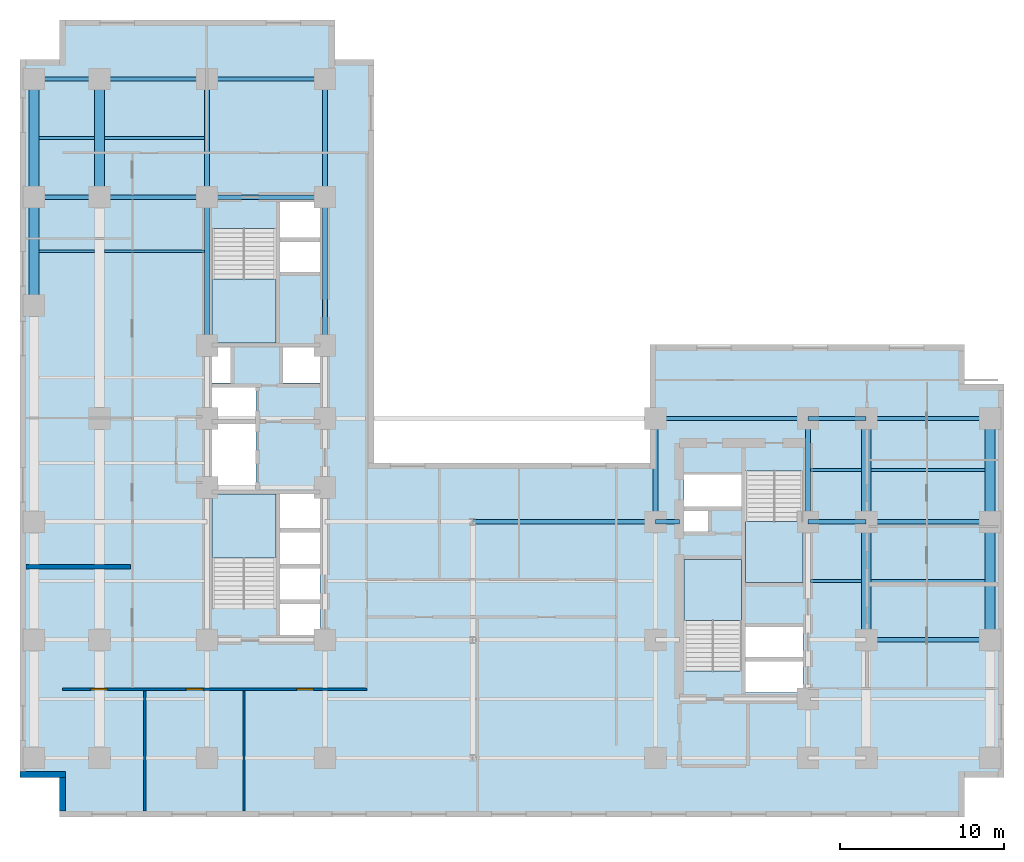
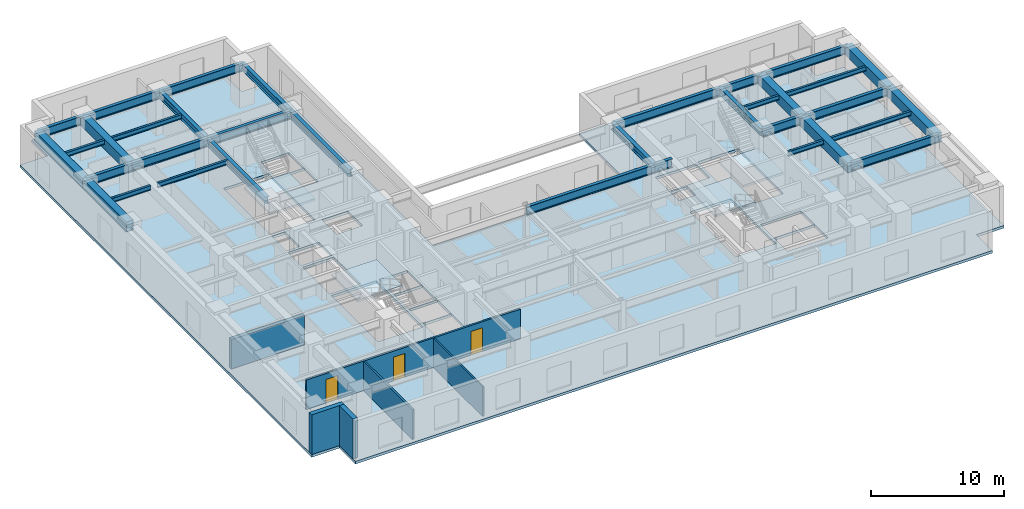
# One storey, part 2 of 9: 35 beams, 6 walls, 5 slabs, 3 doors, 3 openings, 4 elements without a shape of their own.
"""IFC4 building model written with IfcOpenShell, lengths in metres."""

from ifc_helpers import new_model, entity, si_unit, converted_unit, direction, frame, origin_with_axes, origin_2d_with_axis, place, context, subcontext, project, spatial, polyline, rectangle, i_section, outline, extrude, material, layer, layer_set, material_profile, profile_set, type_object, element, fill, aggregate, save


model = new_model("IFC4")

# Units and contexts
model_context = context("Model", 3, precision=1e-05, world=origin_with_axes(), true_north=direction((0.0, 1.0)))
body_context = subcontext(model_context, "Body", "Model", "MODEL_VIEW")
ifc_project = project(units=[si_unit("LENGTHUNIT", "METRE"), si_unit("AREAUNIT", "SQUARE_METRE"), si_unit("VOLUMEUNIT", "CUBIC_METRE"), converted_unit("PLANEANGLEUNIT", "DEGREE", entity("IfcPlaneAngleMeasure", 0.017453292519943295), si_unit("PLANEANGLEUNIT", "RADIAN"), dimensions=[0, 0, 0, 0, 0, 0, 0]), si_unit("MASSUNIT", "GRAM", prefix="KILO"), si_unit("THERMODYNAMICTEMPERATUREUNIT", "KELVIN")], contexts=[model_context])

# Site, building, storey
site_placement = place(None, origin_with_axes())
site = spatial("IfcSite", under=ifc_project, at=site_placement, CompositionType="ELEMENT")
building_placement = place(site_placement, origin_with_axes())
building = spatial("IfcBuilding", under=site, at=building_placement, Name="Varnlund Millrace Tower", CompositionType="ELEMENT")
storey_placement = place(building_placement, frame((0.0, 0.0, 40.5), z_axis=(0.0, 0.0, 1.0), x_axis=(1.0, 0.0, 0.0)))
storey = spatial("IfcBuildingStorey", under=building, at=storey_placement, Name="L09", CompositionType="ELEMENT", Elevation=40.5)

# Beams
ifc_material_1 = material(Name="Steel ASTM A992 Grade 50", Category="steel")
ifc_material_profile_1 = material_profile(ifc_material_1, i_section(OverallWidth=0.328, OverallDepth=0.628, WebThickness=0.0165, FlangeThickness=0.0277, FilletRadius=0.018, at=origin_2d_with_axis()), Name="Steel ASTM A992 Grade 50")
ifc_profile_set_1 = profile_set([ifc_material_profile_1], Name="Steel ASTM A992 Grade 50")
beam_type_1 = type_object("IfcBeamType", Name="Type-Girder-W24X146", PredefinedType="USERDEFINED", material=ifc_profile_set_1)
beam_1_placement = place(storey_placement, frame((11.4, 28.75, 3.346), z_axis=(0.0, 1.0, 0.0), x_axis=(-1.0, 0.0, 0.0)))
element("IfcBeam", 1, at=beam_1_placement, inside=storey, type_object=beam_type_1, Name="Type-Girder-W24X146", ObjectType="GIRDER", PredefinedType="USERDEFINED", context=body_context, shape_type="SweptSolid", body=[
    extrude(i_section(OverallWidth=0.328, OverallDepth=0.628, WebThickness=0.0165, FlangeThickness=0.0277, FilletRadius=0.018, at=origin_2d_with_axis()), origin_with_axes(), (0.0, 0.0, 1.0), 9.05),
])
beam_2_placement = place(storey_placement, frame((11.4, 37.8, 3.346), z_axis=(0.0, 1.0, 0.0), x_axis=(-1.0, 0.0, 0.0)))
element("IfcBeam", 2, at=beam_2_placement, inside=storey, type_object=beam_type_1, Name="Type-Girder-W24X146", ObjectType="GIRDER", PredefinedType="USERDEFINED", context=body_context, shape_type="SweptSolid", body=[
    extrude(i_section(OverallWidth=0.328, OverallDepth=0.628, WebThickness=0.0165, FlangeThickness=0.0277, FilletRadius=0.018, at=origin_2d_with_axis()), origin_with_axes(), (0.0, 0.0, 1.0), 7.2),
])
beam_3_placement = place(storey_placement, frame((18.6, 28.75, 3.346), z_axis=(0.0, 1.0, 0.0), x_axis=(-1.0, 0.0, 0.0)))
element("IfcBeam", 3, at=beam_3_placement, inside=storey, type_object=beam_type_1, Name="Type-Girder-W24X146", ObjectType="GIRDER", PredefinedType="USERDEFINED", context=body_context, shape_type="SweptSolid", body=[
    extrude(i_section(OverallWidth=0.328, OverallDepth=0.628, WebThickness=0.0165, FlangeThickness=0.0277, FilletRadius=0.018, at=origin_2d_with_axis()), origin_with_axes(), (0.0, 0.0, 1.0), 9.05),
])
beam_4_placement = place(storey_placement, frame((18.6, 37.8, 3.346), z_axis=(0.0, 1.0, 0.0), x_axis=(-1.0, 0.0, 0.0)))
element("IfcBeam", 4, at=beam_4_placement, inside=storey, type_object=beam_type_1, Name="Type-Girder-W24X146", ObjectType="GIRDER", PredefinedType="USERDEFINED", context=body_context, shape_type="SweptSolid", body=[
    extrude(i_section(OverallWidth=0.328, OverallDepth=0.628, WebThickness=0.0165, FlangeThickness=0.0277, FilletRadius=0.018, at=origin_2d_with_axis()), origin_with_axes(), (0.0, 0.0, 1.0), 7.2),
])
for number, where, z_axis, x_axis, name in (
    (5, (38.75, 18.0, 3.346), (0.0, 1.0, 0.0), (-1.0, 0.0, 0.0), "Type-Girder-W24X146"),
    (6, (48.05, 18.0, 3.346), (0.0, 1.0, 0.0), (-1.0, 0.0, 0.0), "Type-Girder-W24X146"),
):
    element("IfcBeam", number, at=place(storey_placement, frame(where, z_axis=z_axis, x_axis=x_axis)), inside=storey, type_object=beam_type_1, Name=name, ObjectType="GIRDER", PredefinedType="USERDEFINED", context=body_context, shape_type="SweptSolid", body=[
        extrude(i_section(OverallWidth=0.328, OverallDepth=0.628, WebThickness=0.0165, FlangeThickness=0.0277, FilletRadius=0.018, at=origin_2d_with_axis()), origin_with_axes(), (0.0, 0.0, 1.0), 6.3),
    ])
ifc_material_profile_2 = material_profile(ifc_material_1, i_section(OverallWidth=0.266, OverallDepth=0.779, WebThickness=0.0165, FlangeThickness=0.03, FilletRadius=0.02, at=origin_2d_with_axis()), Name="Steel ASTM A992 Grade 50")
ifc_profile_set_2 = profile_set([ifc_material_profile_2], Name="Steel ASTM A992 Grade 50")
beam_type_2 = type_object("IfcBeamType", Name="Type-Girder-W30X148", PredefinedType="USERDEFINED", material=ifc_profile_set_2)
beam_5_placement = place(storey_placement, frame((51.6, 10.8, 3.2705), z_axis=(1.0, 0.0, 0.0), x_axis=(0.0, 1.0, 0.0)))
element("IfcBeam", 7, at=beam_5_placement, inside=storey, type_object=beam_type_2, Name="Type-Girder-W30X148", ObjectType="GIRDER", PredefinedType="USERDEFINED", context=body_context, shape_type="SweptSolid", body=[
    extrude(i_section(OverallWidth=0.266, OverallDepth=0.779, WebThickness=0.0165, FlangeThickness=0.03, FilletRadius=0.02, at=origin_2d_with_axis()), origin_with_axes(), (0.0, 0.0, 1.0), 7.55),
])
beam_6_placement = place(storey_placement, frame((27.6, 18.0, 3.2705), z_axis=(1.0, 0.0, 0.0), x_axis=(0.0, 1.0, 0.0)))
element("IfcBeam", 8, at=beam_6_placement, inside=storey, type_object=beam_type_2, Name="Type-Girder-W30X148", ObjectType="GIRDER", PredefinedType="USERDEFINED", context=body_context, shape_type="SweptSolid", body=[
    extrude(i_section(OverallWidth=0.266, OverallDepth=0.779, WebThickness=0.0165, FlangeThickness=0.03, FilletRadius=0.02, at=origin_2d_with_axis()), origin_with_axes(), (0.0, 0.0, 1.0), 11.15),
])
beam_7_placement = place(storey_placement, frame((38.75, 18.0, 3.2705), z_axis=(1.0, 0.0, 0.0), x_axis=(0.0, 1.0, 0.0)))
element("IfcBeam", 9, at=beam_7_placement, inside=storey, type_object=beam_type_2, Name="Type-Girder-W30X148", ObjectType="GIRDER", PredefinedType="USERDEFINED", context=body_context, shape_type="SweptSolid", body=[
    extrude(i_section(OverallWidth=0.266, OverallDepth=0.779, WebThickness=0.0165, FlangeThickness=0.03, FilletRadius=0.02, at=origin_2d_with_axis()), origin_with_axes(), (0.0, 0.0, 1.0), 1.45),
])
beam_8_placement = place(storey_placement, frame((48.05, 18.0, 3.2705), z_axis=(1.0, 0.0, 0.0), x_axis=(0.0, 1.0, 0.0)))
element("IfcBeam", 10, at=beam_8_placement, inside=storey, type_object=beam_type_2, Name="Type-Girder-W30X148", ObjectType="GIRDER", PredefinedType="USERDEFINED", context=body_context, shape_type="SweptSolid", body=[
    extrude(i_section(OverallWidth=0.266, OverallDepth=0.779, WebThickness=0.0165, FlangeThickness=0.03, FilletRadius=0.02, at=origin_2d_with_axis()), origin_with_axes(), (0.0, 0.0, 1.0), 3.55),
])
beam_9_placement = place(storey_placement, frame((51.6, 18.0, 3.2705), z_axis=(1.0, 0.0, 0.0), x_axis=(0.0, 1.0, 0.0)))
element("IfcBeam", 11, at=beam_9_placement, inside=storey, type_object=beam_type_2, Name="Type-Girder-W30X148", ObjectType="GIRDER", PredefinedType="USERDEFINED", context=body_context, shape_type="SweptSolid", body=[
    extrude(i_section(OverallWidth=0.266, OverallDepth=0.779, WebThickness=0.0165, FlangeThickness=0.03, FilletRadius=0.02, at=origin_2d_with_axis()), origin_with_axes(), (0.0, 0.0, 1.0), 7.55),
])
beam_10_placement = place(storey_placement, frame((38.75, 24.3, 3.2705), z_axis=(1.0, 0.0, 0.0), x_axis=(0.0, 1.0, 0.0)))
element("IfcBeam", 12, at=beam_10_placement, inside=storey, type_object=beam_type_2, Name="Type-Girder-W30X148", ObjectType="GIRDER", PredefinedType="USERDEFINED", context=body_context, shape_type="SweptSolid", body=[
    extrude(i_section(OverallWidth=0.266, OverallDepth=0.779, WebThickness=0.0165, FlangeThickness=0.03, FilletRadius=0.02, at=origin_2d_with_axis()), origin_with_axes(), (0.0, 0.0, 1.0), 9.3),
])
beam_11_placement = place(storey_placement, frame((48.05, 24.3, 3.2705), z_axis=(1.0, 0.0, 0.0), x_axis=(0.0, 1.0, 0.0)))
element("IfcBeam", 13, at=beam_11_placement, inside=storey, type_object=beam_type_2, Name="Type-Girder-W30X148", ObjectType="GIRDER", PredefinedType="USERDEFINED", context=body_context, shape_type="SweptSolid", body=[
    extrude(i_section(OverallWidth=0.266, OverallDepth=0.779, WebThickness=0.0165, FlangeThickness=0.03, FilletRadius=0.02, at=origin_2d_with_axis()), origin_with_axes(), (0.0, 0.0, 1.0), 3.55),
])
beam_12_placement = place(storey_placement, frame((51.6, 24.3, 3.2705), z_axis=(1.0, 0.0, 0.0), x_axis=(0.0, 1.0, 0.0)))
element("IfcBeam", 14, at=beam_12_placement, inside=storey, type_object=beam_type_2, Name="Type-Girder-W30X148", ObjectType="GIRDER", PredefinedType="USERDEFINED", context=body_context, shape_type="SweptSolid", body=[
    extrude(i_section(OverallWidth=0.266, OverallDepth=0.779, WebThickness=0.0165, FlangeThickness=0.03, FilletRadius=0.02, at=origin_2d_with_axis()), origin_with_axes(), (0.0, 0.0, 1.0), 7.55),
])
beam_13_placement = place(storey_placement, frame((0.85, 37.8, 3.2705), z_axis=(1.0, 0.0, 0.0), x_axis=(0.0, 1.0, 0.0)))
element("IfcBeam", 15, at=beam_13_placement, inside=storey, type_object=beam_type_2, Name="Type-Girder-W30X148", ObjectType="GIRDER", PredefinedType="USERDEFINED", context=body_context, shape_type="SweptSolid", body=[
    extrude(i_section(OverallWidth=0.266, OverallDepth=0.779, WebThickness=0.0165, FlangeThickness=0.03, FilletRadius=0.02, at=origin_2d_with_axis()), origin_with_axes(), (0.0, 0.0, 1.0), 4.0),
])
beam_14_placement = place(storey_placement, frame((4.85, 37.8, 3.2705), z_axis=(1.0, 0.0, 0.0), x_axis=(0.0, 1.0, 0.0)))
element("IfcBeam", 16, at=beam_14_placement, inside=storey, type_object=beam_type_2, Name="Type-Girder-W30X148", ObjectType="GIRDER", PredefinedType="USERDEFINED", context=body_context, shape_type="SweptSolid", body=[
    extrude(i_section(OverallWidth=0.266, OverallDepth=0.779, WebThickness=0.0165, FlangeThickness=0.03, FilletRadius=0.02, at=origin_2d_with_axis()), origin_with_axes(), (0.0, 0.0, 1.0), 6.55),
])
beam_15_placement = place(storey_placement, frame((11.4, 37.8, 3.2705), z_axis=(1.0, 0.0, 0.0), x_axis=(0.0, 1.0, 0.0)))
element("IfcBeam", 17, at=beam_15_placement, inside=storey, type_object=beam_type_2, Name="Type-Girder-W30X148", ObjectType="GIRDER", PredefinedType="USERDEFINED", context=body_context, shape_type="SweptSolid", body=[
    extrude(i_section(OverallWidth=0.266, OverallDepth=0.779, WebThickness=0.0165, FlangeThickness=0.03, FilletRadius=0.02, at=origin_2d_with_axis()), origin_with_axes(), (0.0, 0.0, 1.0), 7.2),
])
beam_16_placement = place(storey_placement, frame((0.85, 45.0, 3.2705), z_axis=(1.0, 0.0, 0.0), x_axis=(0.0, 1.0, 0.0)))
element("IfcBeam", 18, at=beam_16_placement, inside=storey, type_object=beam_type_2, Name="Type-Girder-W30X148", ObjectType="GIRDER", PredefinedType="USERDEFINED", context=body_context, shape_type="SweptSolid", body=[
    extrude(i_section(OverallWidth=0.266, OverallDepth=0.779, WebThickness=0.0165, FlangeThickness=0.03, FilletRadius=0.02, at=origin_2d_with_axis()), origin_with_axes(), (0.0, 0.0, 1.0), 4.0),
])
beam_17_placement = place(storey_placement, frame((4.85, 45.0, 3.2705), z_axis=(1.0, 0.0, 0.0), x_axis=(0.0, 1.0, 0.0)))
element("IfcBeam", 19, at=beam_17_placement, inside=storey, type_object=beam_type_2, Name="Type-Girder-W30X148", ObjectType="GIRDER", PredefinedType="USERDEFINED", context=body_context, shape_type="SweptSolid", body=[
    extrude(i_section(OverallWidth=0.266, OverallDepth=0.779, WebThickness=0.0165, FlangeThickness=0.03, FilletRadius=0.02, at=origin_2d_with_axis()), origin_with_axes(), (0.0, 0.0, 1.0), 6.55),
])
beam_18_placement = place(storey_placement, frame((11.4, 45.0, 3.2705), z_axis=(1.0, 0.0, 0.0), x_axis=(0.0, 1.0, 0.0)))
element("IfcBeam", 20, at=beam_18_placement, inside=storey, type_object=beam_type_2, Name="Type-Girder-W30X148", ObjectType="GIRDER", PredefinedType="USERDEFINED", context=body_context, shape_type="SweptSolid", body=[
    extrude(i_section(OverallWidth=0.266, OverallDepth=0.779, WebThickness=0.0165, FlangeThickness=0.03, FilletRadius=0.02, at=origin_2d_with_axis()), origin_with_axes(), (0.0, 0.0, 1.0), 7.2),
])
ifc_material_profile_3 = material_profile(ifc_material_1, i_section(OverallWidth=0.181, OverallDepth=0.417, WebThickness=0.0109, FlangeThickness=0.0182, FilletRadius=0.013, at=origin_2d_with_axis()), Name="Steel ASTM A992 Grade 50")
ifc_profile_set_3 = profile_set([ifc_material_profile_3], Name="Steel ASTM A992 Grade 50")
beam_type_3 = type_object("IfcBeamType", Name="Type-Joist-W16X57", PredefinedType="JOIST", material=ifc_profile_set_3)
for number, where, z_axis, x_axis, name in (
    (21, (1.15, 34.5, 3.4515), (1.0, 0.0, 0.0), (0.0, 1.0, 0.0), "Type-Joist-W16X57"),
    (22, (1.15, 41.4, 3.4515), (1.0, 0.0, 0.0), (0.0, 1.0, 0.0), "Type-Joist-W16X57"),
):
    element("IfcBeam", number, at=place(storey_placement, frame(where, z_axis=z_axis, x_axis=x_axis)), inside=storey, type_object=beam_type_3, Name=name, PredefinedType="JOIST", context=body_context, shape_type="SweptSolid", body=[
        extrude(i_section(OverallWidth=0.181, OverallDepth=0.417, WebThickness=0.0109, FlangeThickness=0.0182, FilletRadius=0.013, at=origin_2d_with_axis()), origin_with_axes(), (0.0, 0.0, 1.0), 3.4),
    ])
for number, where, z_axis, x_axis, name in (
    (23, (5.15, 34.5, 3.4515), (1.0, 0.0, 0.0), (0.0, 1.0, 0.0), "Type-Joist-W16X57"),
    (24, (5.15, 41.4, 3.4515), (1.0, 0.0, 0.0), (0.0, 1.0, 0.0), "Type-Joist-W16X57"),
):
    element("IfcBeam", number, at=place(storey_placement, frame(where, z_axis=z_axis, x_axis=x_axis)), inside=storey, type_object=beam_type_3, Name=name, PredefinedType="JOIST", context=body_context, shape_type="SweptSolid", body=[
        extrude(i_section(OverallWidth=0.181, OverallDepth=0.417, WebThickness=0.0109, FlangeThickness=0.0182, FilletRadius=0.013, at=origin_2d_with_axis()), origin_with_axes(), (0.0, 0.0, 1.0), 6.086),
    ])
for number, where, z_axis, x_axis, name in (
    (25, (48.214, 14.4, 3.4515), (1.0, 0.0, 0.0), (0.0, 1.0, 0.0), "Type-Joist-W16X57"),
    (26, (48.214, 21.15, 3.4515), (1.0, 0.0, 0.0), (0.0, 1.0, 0.0), "Type-Joist-W16X57"),
):
    element("IfcBeam", number, at=place(storey_placement, frame(where, z_axis=z_axis, x_axis=x_axis)), inside=storey, type_object=beam_type_3, Name=name, PredefinedType="JOIST", context=body_context, shape_type="SweptSolid", body=[
        extrude(i_section(OverallWidth=0.181, OverallDepth=0.417, WebThickness=0.0109, FlangeThickness=0.0182, FilletRadius=0.013, at=origin_2d_with_axis()), origin_with_axes(), (0.0, 0.0, 1.0), 3.086),
    ])
for number, where, z_axis, x_axis, name in (
    (27, (51.9, 14.4, 3.4515), (1.0, 0.0, 0.0), (0.0, 1.0, 0.0), "Type-Joist-W16X57"),
    (28, (51.9, 21.15, 3.4515), (1.0, 0.0, 0.0), (0.0, 1.0, 0.0), "Type-Joist-W16X57"),
):
    element("IfcBeam", number, at=place(storey_placement, frame(where, z_axis=z_axis, x_axis=x_axis)), inside=storey, type_object=beam_type_3, Name=name, PredefinedType="JOIST", context=body_context, shape_type="SweptSolid", body=[
        extrude(i_section(OverallWidth=0.181, OverallDepth=0.417, WebThickness=0.0109, FlangeThickness=0.0182, FilletRadius=0.013, at=origin_2d_with_axis()), origin_with_axes(), (0.0, 0.0, 1.0), 6.95),
    ])
ifc_material_2 = material(Name="Concrete C70/85", Category="concrete")
ifc_material_profile_4 = material_profile(ifc_material_2, rectangle(XDim=0.6, YDim=0.9, at=origin_2d_with_axis()), Name="Concrete C70/85")
ifc_profile_set_4 = profile_set([ifc_material_profile_4], Name="Concrete C70/85")
beam_type_4 = type_object("IfcBeamType", Name="Type-Spandrel-RC600X900", PredefinedType="SPANDREL", material=ifc_profile_set_4)
beam_19_placement = place(storey_placement, frame((0.85, 31.2, 3.21), z_axis=(0.0, 1.0, 0.0), x_axis=(-1.0, 0.0, 0.0)))
element("IfcBeam", 29, at=beam_19_placement, inside=storey, type_object=beam_type_4, Name="Type-Spandrel-RC600X900", PredefinedType="SPANDREL", context=body_context, shape_type="SweptSolid", body=[
    extrude(rectangle(XDim=0.6, YDim=0.9, at=origin_2d_with_axis()), origin_with_axes(), (0.0, 0.0, 1.0), 6.6),
])
for number, where, z_axis, x_axis, name in (
    (30, (0.85, 37.8, 3.21), (0.0, 1.0, 0.0), (-1.0, 0.0, 0.0), "Type-Spandrel-RC600X900"),
    (31, (4.85, 37.8, 3.21), (0.0, 1.0, 0.0), (-1.0, 0.0, 0.0), "Type-Spandrel-RC600X900"),
    (32, (51.6, 10.8, 3.21), (0.0, 1.0, 0.0), (-1.0, 0.0, 0.0), "Type-Spandrel-RC600X900"),
):
    element("IfcBeam", number, at=place(storey_placement, frame(where, z_axis=z_axis, x_axis=x_axis)), inside=storey, type_object=beam_type_4, Name=name, PredefinedType="SPANDREL", context=body_context, shape_type="SweptSolid", body=[
        extrude(rectangle(XDim=0.6, YDim=0.9, at=origin_2d_with_axis()), origin_with_axes(), (0.0, 0.0, 1.0), 7.2),
    ])
beam_20_placement = place(storey_placement, frame((51.6, 18.0, 3.21), z_axis=(0.0, 1.0, 0.0), x_axis=(-1.0, 0.0, 0.0)))
element("IfcBeam", 33, at=beam_20_placement, inside=storey, type_object=beam_type_4, Name="Type-Spandrel-RC600X900", PredefinedType="SPANDREL", context=body_context, shape_type="SweptSolid", body=[
    extrude(rectangle(XDim=0.6, YDim=0.9, at=origin_2d_with_axis()), origin_with_axes(), (0.0, 0.0, 1.0), 6.3),
])
beam_21_placement = place(storey_placement, frame((59.15, 10.8, 3.21), z_axis=(0.0, 1.0, 0.0), x_axis=(-1.0, 0.0, 0.0)))
element("IfcBeam", 34, at=beam_21_placement, inside=storey, type_object=beam_type_4, Name="Type-Spandrel-RC600X900", PredefinedType="SPANDREL", context=body_context, shape_type="SweptSolid", body=[
    extrude(rectangle(XDim=0.6, YDim=0.9, at=origin_2d_with_axis()), origin_with_axes(), (0.0, 0.0, 1.0), 7.2),
])
beam_22_placement = place(storey_placement, frame((59.15, 18.0, 3.21), z_axis=(0.0, 1.0, 0.0), x_axis=(-1.0, 0.0, 0.0)))
element("IfcBeam", 35, at=beam_22_placement, inside=storey, type_object=beam_type_4, Name="Type-Spandrel-RC600X900", PredefinedType="SPANDREL", context=body_context, shape_type="SweptSolid", body=[
    extrude(rectangle(XDim=0.6, YDim=0.9, at=origin_2d_with_axis()), origin_with_axes(), (0.0, 0.0, 1.0), 6.3),
])

# Slab
ifc_material_3 = material(Name="Concrete C60/75", Category="concrete")
ifc_layer_1 = layer(ifc_material_3, 0.24, Name="Concrete C60/75")
ifc_layer_set_1 = layer_set([ifc_layer_1], Name="Concrete C60/75")
slab_type_1 = type_object("IfcSlabType", Name="Type-Deck-Plate-Typical-240", PredefinedType="FLOOR", material=ifc_layer_set_1)
slab_1_placement = place(storey_placement, frame((0.0, 0.0, -0.24), z_axis=(0.0, 0.0, 1.0), x_axis=(1.0, 0.0, 0.0)))
element("IfcSlab", 36, at=slab_1_placement, inside=storey, type_object=slab_type_1, Name="Type-Deck-Plate-Typical-240", PredefinedType="FLOOR", context=body_context, shape_type="SweptSolid", body=[
    extrude(outline(polyline([(21.6, 21.6), (21.6, 46.2), (19.2, 46.2), (19.2, 48.6), (2.4, 48.6), (2.4, 46.2), (0.0, 46.2), (0.0, 2.4), (2.4, 2.4), (2.4, 0.0), (57.6, 0.0), (57.6, 2.4), (60.0, 2.4), (60.0, 26.4), (57.6, 26.4), (57.6, 28.8), (38.4, 28.8), (38.4, 21.6), (21.6, 21.6)]), holes=[polyline([(18.3, 11.1), (15.84, 11.1), (15.84, 13.1), (18.3, 13.1), (18.3, 11.1)]), polyline([(18.3, 13.16), (15.84, 13.16), (15.84, 15.24), (18.3, 15.24), (18.3, 13.16)]), polyline([(15.6, 12.715), (11.7, 12.715), (11.7, 19.7), (15.6, 19.7), (15.6, 12.715)]), polyline([(18.3, 15.34), (15.84, 15.34), (15.84, 17.46), (18.3, 17.46), (18.3, 15.34)]), polyline([(18.3, 17.52), (15.84, 17.52), (15.84, 19.7), (18.3, 19.7), (18.3, 17.52)]), polyline([(14.38, 23.98), (14.38, 19.94), (11.7, 19.94), (11.7, 23.98), (14.38, 23.98)]), polyline([(11.7, 24.24), (11.7, 26.2), (14.38, 26.2), (14.38, 24.24), (11.7, 24.24)]), polyline([(11.7, 26.46), (11.7, 28.65), (12.84, 28.65), (12.84, 26.46), (11.7, 26.46)]), polyline([(15.6, 28.9), (11.7, 28.9), (11.7, 35.885), (15.6, 35.885), (15.6, 28.9)]), polyline([(47.75, 7.6), (44.25, 7.6), (44.25, 9.6), (47.75, 9.6), (47.75, 7.6)]), polyline([(47.75, 9.66), (44.25, 9.66), (44.25, 11.68), (47.75, 11.68), (47.75, 9.66)]), polyline([(40.5, 8.915), (40.5, 15.7), (44.0, 15.7), (44.0, 8.915), (40.5, 8.915)]), polyline([(44.25, 14.3), (44.25, 21.085), (47.75, 21.085), (47.75, 14.3), (44.25, 14.3)]), polyline([(41.95, 17.42), (40.5, 17.42), (40.5, 18.72), (41.95, 18.72), (41.95, 17.42)]), polyline([(44.0, 18.88), (40.5, 18.88), (40.5, 20.94), (44.0, 20.94), (44.0, 18.88)]), polyline([(18.3, 26.46), (16.04, 26.46), (16.04, 28.65), (18.3, 28.65), (18.3, 26.46)]), polyline([(15.84, 33.12), (15.84, 35.18), (18.3, 35.18), (18.3, 33.12), (15.84, 33.12)]), polyline([(15.84, 35.22), (15.84, 37.5), (18.3, 37.5), (18.3, 35.22), (15.84, 35.22)])]), origin_with_axes(), (0.0, 0.0, 1.0), 0.24),
])

# Stair, slab
ifc_material_4 = material(Name="Concrete C50/60", Category="concrete")
stair_type_1 = type_object("IfcStairType", Name="Type-Stair-Dogleg-185-390", PredefinedType="HALF_TURN_STAIR", material=ifc_material_4)
stair_1_placement = place(storey_placement, origin_with_axes())
stair_1 = element("IfcStair", 37, at=stair_1_placement, inside=storey, type_object=stair_type_1, Name="Type-Stair-Dogleg-185-390", PredefinedType="HALF_TURN_STAIR")
ifc_layer_2 = layer(ifc_material_4, 0.2, Name="Concrete C50/60")
ifc_layer_set_2 = layer_set([ifc_layer_2], Name="Concrete C50/60")
slab_type_2 = type_object("IfcSlabType", Name="Type-StairLanding-200", PredefinedType="LANDING", material=ifc_layer_set_2)
slab_2_placement = place(storey_placement, frame((0.0, 0.0, 1.75), z_axis=(0.0, 0.0, 1.0), x_axis=(1.0, 0.0, 0.0)))
slab_2 = element("IfcSlab", 38, at=slab_2_placement, type_object=slab_type_2, Name="ST-A1 landing 1", PredefinedType="LANDING", context=body_context, shape_type="SweptSolid", body=[
    extrude(outline(polyline([(15.6, 15.78), (15.6, 19.7), (11.7, 19.7), (11.7, 15.78), (15.6, 15.78)])), origin_with_axes(), (0.0, 0.0, 1.0), 0.2),
])
aggregate(stair_1, [slab_2])

stair_2_placement = place(storey_placement, origin_with_axes())
stair_2 = element("IfcStair", 39, at=stair_2_placement, inside=storey, type_object=stair_type_1, Name="Type-Stair-Dogleg-185-390", PredefinedType="HALF_TURN_STAIR")
slab_3_placement = place(storey_placement, frame((0.0, 0.0, 1.75), z_axis=(0.0, 0.0, 1.0), x_axis=(1.0, 0.0, 0.0)))
slab_3 = element("IfcSlab", 40, at=slab_3_placement, type_object=slab_type_2, Name="ST-A2 landing 1", PredefinedType="LANDING", context=body_context, shape_type="SweptSolid", body=[
    extrude(outline(polyline([(11.7, 32.82), (11.7, 28.9), (15.6, 28.9), (15.6, 32.82), (11.7, 32.82)])), origin_with_axes(), (0.0, 0.0, 1.0), 0.2),
])
aggregate(stair_2, [slab_3])

stair_type_2 = type_object("IfcStairType", Name="Type-Stair-Dogleg-165-390", PredefinedType="HALF_TURN_STAIR", material=ifc_material_4)
stair_3_placement = place(storey_placement, origin_with_axes())
stair_3 = element("IfcStair", 41, at=stair_3_placement, inside=storey, type_object=stair_type_2, Name="Type-Stair-Dogleg-165-390", PredefinedType="HALF_TURN_STAIR")
slab_4_placement = place(storey_placement, frame((0.0, 0.0, 1.75), z_axis=(0.0, 0.0, 1.0), x_axis=(1.0, 0.0, 0.0)))
slab_4 = element("IfcSlab", 42, at=slab_4_placement, type_object=slab_type_2, Name="ST-B1 landing 1", PredefinedType="LANDING", context=body_context, shape_type="SweptSolid", body=[
    extrude(outline(polyline([(44.0, 11.98), (44.0, 15.7), (40.5, 15.7), (40.5, 11.98), (44.0, 11.98)])), origin_with_axes(), (0.0, 0.0, 1.0), 0.2),
])
aggregate(stair_3, [slab_4])

stair_4_placement = place(storey_placement, origin_with_axes())
stair_4 = element("IfcStair", 43, at=stair_4_placement, inside=storey, type_object=stair_type_2, Name="Type-Stair-Dogleg-165-390", PredefinedType="HALF_TURN_STAIR")
slab_5_placement = place(storey_placement, frame((0.0, 0.0, 1.75), z_axis=(0.0, 0.0, 1.0), x_axis=(1.0, 0.0, 0.0)))
slab_5 = element("IfcSlab", 44, at=slab_5_placement, type_object=slab_type_2, Name="ST-B2 landing 1", PredefinedType="LANDING", context=body_context, shape_type="SweptSolid", body=[
    extrude(outline(polyline([(44.25, 18.02), (44.25, 14.3), (47.75, 14.3), (47.75, 18.02), (44.25, 18.02)])), origin_with_axes(), (0.0, 0.0, 1.0), 0.2),
])
aggregate(stair_4, [slab_5])

# Walls
ifc_material_5 = material(Name="Precast concrete C50/60", Category="concrete")
ifc_layer_3 = layer(ifc_material_5, 0.38, Name="Precast concrete C50/60")
ifc_layer_set_3 = layer_set([ifc_layer_3], Name="Precast concrete C50/60")
wall_type_1 = type_object("IfcWallType", Name="Type-ExtWall-Precast-Tube-380", PredefinedType="SOLIDWALL", material=ifc_layer_set_3)
wall_1_placement = place(storey_placement, frame((2.59, 0.38, 0.0), z_axis=(0.0, 0.0, 1.0), x_axis=(0.0, 1.0, 0.0)))
element("IfcWall", 45, at=wall_1_placement, inside=storey, type_object=wall_type_1, Name="Type-ExtWall-Precast-Tube-380", PredefinedType="SOLIDWALL", context=body_context, shape_type="SweptSolid", body=[
    extrude(outline(polyline([(0.0, -0.19), (2.02, -0.19), (2.02, 0.19), (0.0, 0.19), (0.0, -0.19)])), origin_with_axes(), (0.0, 0.0, 1.0), 3.66),
])
wall_2_placement = place(storey_placement, frame((2.78, 2.59, 0.0), z_axis=(0.0, 0.0, 1.0), x_axis=(-1.0, 0.0, 0.0)))
element("IfcWall", 46, at=wall_2_placement, inside=storey, type_object=wall_type_1, Name="Type-ExtWall-Precast-Tube-380", PredefinedType="SOLIDWALL", context=body_context, shape_type="SweptSolid", body=[
    extrude(outline(polyline([(0.0, -0.19), (2.78, -0.19), (2.78, 0.19), (0.0, 0.19), (0.0, -0.19)])), origin_with_axes(), (0.0, 0.0, 1.0), 3.66),
])
ifc_material_6 = material(Name="Double-stud STC-60 conference acoustic partition", Category="gypsum")
ifc_layer_4 = layer(ifc_material_6, 0.28, Name="Double-stud STC-60 conference acoustic partition")
ifc_layer_set_4 = layer_set([ifc_layer_4], Name="Double-stud STC-60 conference acoustic partition")
wall_type_2 = type_object("IfcWallType", Name="Type-Partition-Acoustic-280", PredefinedType="PARTITIONING", material=ifc_layer_set_4)
wall_3_placement = place(storey_placement, frame((0.375, 15.263, 0.0), z_axis=(0.0, 0.0, 1.0), x_axis=(1.0, 0.0, 0.0)))
element("IfcWall", 47, at=wall_3_placement, inside=storey, type_object=wall_type_2, Name="Type-Partition-Acoustic-280", PredefinedType="PARTITIONING", context=body_context, shape_type="SweptSolid", body=[
    extrude(outline(polyline([(0.0, -0.14), (6.355, -0.14), (6.355, 0.14), (0.0, 0.14), (0.0, -0.14)])), origin_with_axes(), (0.0, 0.0, 1.0), 2.7),
])

# Wall, openings, doors
ifc_material_7 = material(Name="Fire-rated gypsum board on cold-formed steel framing", Category="steel")
ifc_layer_5 = layer(ifc_material_7, 0.16, Name="Fire-rated gypsum board on cold-formed steel framing")
ifc_layer_set_5 = layer_set([ifc_layer_5], Name="Fire-rated gypsum board on cold-formed steel framing")
wall_type_3 = type_object("IfcWallType", Name="Type-Partition-Corridor-160", PredefinedType="PARTITIONING", material=ifc_layer_set_5)
wall_4_placement = place(storey_placement, frame((2.6, 7.8, 0.0), z_axis=(0.0, 0.0, 1.0), x_axis=(1.0, 0.0, 0.0)))
wall_4 = element("IfcWall", 48, at=wall_4_placement, inside=storey, type_object=wall_type_3, Name="Type-Partition-Corridor-160", PredefinedType="PARTITIONING", context=body_context, shape_type="SweptSolid", body=[
    extrude(outline(polyline([(0.0, -0.08), (18.55, -0.08), (18.55, 0.08), (0.0, 0.08), (0.0, -0.08)])), origin_with_axes(), (0.0, 0.0, 1.0), 2.7),
])
opening_1_placement = place(wall_4_placement, frame((2.225, 0.0, 0.0), z_axis=(0.0, 0.0, 1.0), x_axis=(1.0, 0.0, 0.0)))
opening_1 = element("IfcOpeningElement", 49, at=opening_1_placement, cuts=wall_4, Name="Opening L09:DR-WAS-01", PredefinedType="OPENING", context=body_context, shape_type="SweptSolid", body=[
    extrude(rectangle(XDim=1.0, YDim=0.18, at=origin_2d_with_axis()), origin_with_axes(), (0.0, 0.0, 1.0), 2.15),
])
opening_2_placement = place(wall_4_placement, frame((8.0435, 0.0, 0.0), z_axis=(0.0, 0.0, 1.0), x_axis=(1.0, 0.0, 0.0)))
opening_2 = element("IfcOpeningElement", 50, at=opening_2_placement, cuts=wall_4, Name="Opening L09:DR-WAS-02", PredefinedType="OPENING", context=body_context, shape_type="SweptSolid", body=[
    extrude(rectangle(XDim=1.0, YDim=0.18, at=origin_2d_with_axis()), origin_with_axes(), (0.0, 0.0, 1.0), 2.15),
])
opening_3_placement = place(wall_4_placement, frame((14.784, 0.0, 0.0), z_axis=(0.0, 0.0, 1.0), x_axis=(1.0, 0.0, 0.0)))
opening_3 = element("IfcOpeningElement", 51, at=opening_3_placement, cuts=wall_4, Name="Opening L09:DR-WAS-03", PredefinedType="OPENING", context=body_context, shape_type="SweptSolid", body=[
    extrude(rectangle(XDim=1.0, YDim=0.18, at=origin_2d_with_axis()), origin_with_axes(), (0.0, 0.0, 1.0), 2.15),
])
ifc_material_8 = material(Name="Solid-core white oak and bronze frame door")
door_type = type_object("IfcDoorType", Name="Type-IntDoor-Office-1000X2150", OperationType="NOTDEFINED", PredefinedType="DOOR", material=ifc_material_8)
door_1_placement = place(wall_4_placement, frame((2.225, 0.0, 0.0), z_axis=(0.0, 0.0, 1.0), x_axis=(1.0, 0.0, 0.0)))
door_1 = element("IfcDoor", 52, at=door_1_placement, inside=storey, type_object=door_type, Name="Type-IntDoor-Office-1000X2150", OperationType="SINGLE_SWING_LEFT", OverallHeight=2.15, OverallWidth=1.0, PredefinedType="DOOR", context=body_context, shape_type="SweptSolid", body=[
    extrude(rectangle(XDim=1.0, YDim=0.09, at=origin_2d_with_axis()), origin_with_axes(), (0.0, 0.0, 1.0), 2.15),
])
fill(opening_1, door_1)
door_2_placement = place(wall_4_placement, frame((8.0435, 0.0, 0.0), z_axis=(0.0, 0.0, 1.0), x_axis=(1.0, 0.0, 0.0)))
door_2 = element("IfcDoor", 53, at=door_2_placement, inside=storey, type_object=door_type, Name="Type-IntDoor-Office-1000X2150", OperationType="SINGLE_SWING_RIGHT", OverallHeight=2.15, OverallWidth=1.0, PredefinedType="DOOR", context=body_context, shape_type="SweptSolid", body=[
    extrude(rectangle(XDim=1.0, YDim=0.09, at=origin_2d_with_axis()), origin_with_axes(), (0.0, 0.0, 1.0), 2.15),
])
fill(opening_2, door_2)
door_3_placement = place(wall_4_placement, frame((14.784, 0.0, 0.0), z_axis=(0.0, 0.0, 1.0), x_axis=(1.0, 0.0, 0.0)))
door_3 = element("IfcDoor", 54, at=door_3_placement, inside=storey, type_object=door_type, Name="Type-IntDoor-Office-1000X2150", OperationType="SINGLE_SWING_LEFT", OverallHeight=2.15, OverallWidth=1.0, PredefinedType="DOOR", context=body_context, shape_type="SweptSolid", body=[
    extrude(rectangle(XDim=1.0, YDim=0.09, at=origin_2d_with_axis()), origin_with_axes(), (0.0, 0.0, 1.0), 2.15),
])
fill(opening_3, door_3)

# Walls
ifc_material_9 = material(Name="Acoustic STC-50 gypsum board partition", Category="gypsum")
ifc_layer_6 = layer(ifc_material_9, 0.15, Name="Acoustic STC-50 gypsum board partition")
ifc_layer_set_6 = layer_set([ifc_layer_6], Name="Acoustic STC-50 gypsum board partition")
wall_type_4 = type_object("IfcWallType", Name="Type-Partition-Demising-150", PredefinedType="PARTITIONING", material=ifc_layer_set_6)
wall_5_placement = place(storey_placement, frame((7.619, 0.36, 0.0), z_axis=(0.0, 0.0, 1.0), x_axis=(0.0, 1.0, 0.0)))
element("IfcWall", 55, at=wall_5_placement, inside=storey, type_object=wall_type_4, Name="Type-Partition-Demising-150", PredefinedType="PARTITIONING", context=body_context, shape_type="SweptSolid", body=[
    extrude(outline(polyline([(0.0, -0.075), (7.34, -0.075), (7.34, 0.075), (0.0, 0.075), (0.0, -0.075)])), origin_with_axes(), (0.0, 0.0, 1.0), 2.7),
])
ifc_material_10 = material(Name="Gypsum board tenant partition", Category="gypsum")
ifc_layer_7 = layer(ifc_material_10, 0.125, Name="Gypsum board tenant partition")
ifc_layer_set_7 = layer_set([ifc_layer_7], Name="Gypsum board tenant partition")
wall_type_5 = type_object("IfcWallType", Name="Type-Partition-Tenant-125", PredefinedType="PARTITIONING", material=ifc_layer_set_7)
wall_6_placement = place(storey_placement, frame((13.668, 0.36, 0.0), z_axis=(0.0, 0.0, 1.0), x_axis=(0.0, 1.0, 0.0)))
element("IfcWall", 56, at=wall_6_placement, inside=storey, type_object=wall_type_5, Name="Type-Partition-Tenant-125", PredefinedType="PARTITIONING", context=body_context, shape_type="SweptSolid", body=[
    extrude(outline(polyline([(0.0, -0.0625), (7.34, -0.0625), (7.34, 0.0625), (0.0, 0.0625), (0.0, -0.0625)])), origin_with_axes(), (0.0, 0.0, 1.0), 2.7),
])

save(model, "model.ifc")
